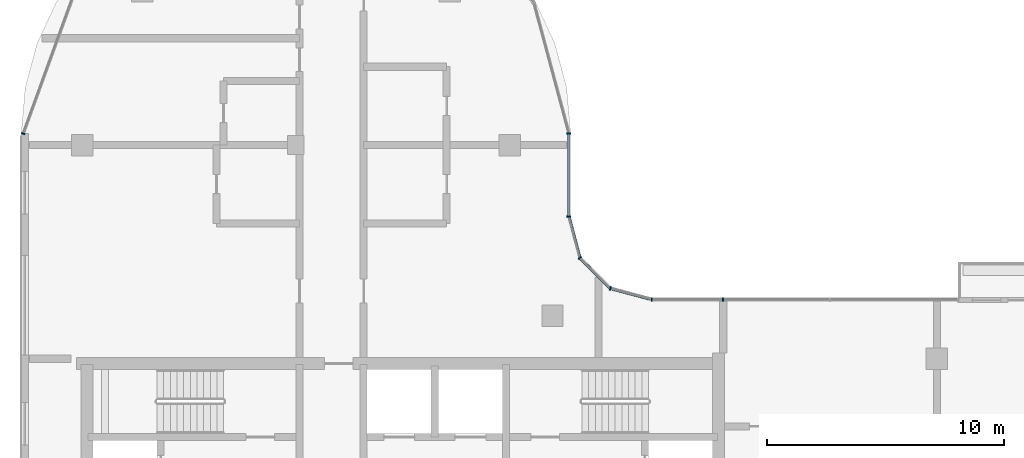
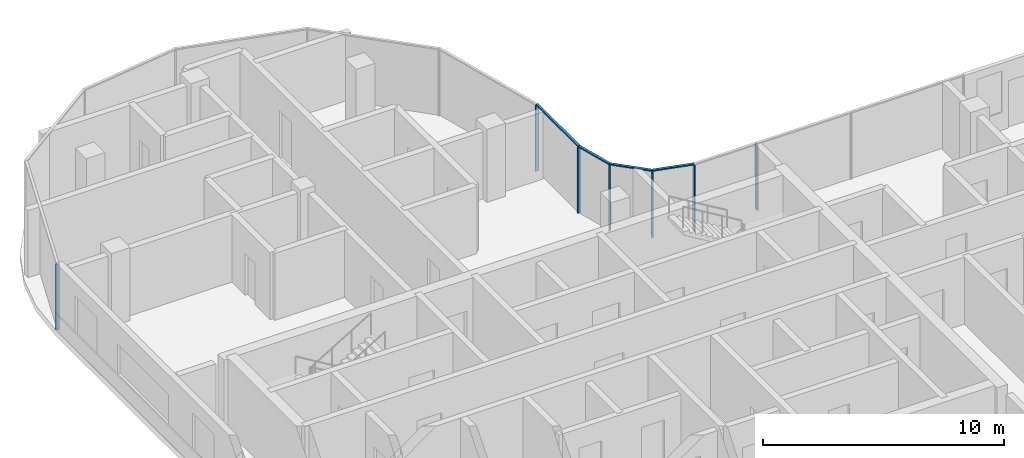
# One storey, part 2 of 18: 11 members, 4 elements without a shape of their own.
"""IFC4 building model written with IfcOpenShell, lengths in metres."""

from ifc_helpers import new_model, si_unit, direction, frame, origin, origin_2d, place, context, subcontext, project, spatial, rectangle, extrude, material, material_profile, profile_set, type_object, element, aggregate, save


model = new_model("IFC4")

# Units and contexts
model_context = context("Model", 3, precision=1e-05, world=origin(), true_north=direction((0.0, 1.0)))
body_context = subcontext(model_context, "Body", "Model", "MODEL_VIEW")
ifc_project = project(units=[si_unit("LENGTHUNIT", "METRE"), si_unit("AREAUNIT", "SQUARE_METRE"), si_unit("VOLUMEUNIT", "CUBIC_METRE"), si_unit("PLANEANGLEUNIT", "RADIAN"), si_unit("MASSUNIT", "GRAM", prefix="KILO")], contexts=[model_context])

# Site, building, storey
site_placement = place(None, origin())
site = spatial("IfcSite", under=ifc_project, at=site_placement, CompositionType="ELEMENT")
building_placement = place(site_placement, origin())
building = spatial("IfcBuilding", under=site, at=building_placement, Name="Ogive Portal Towers", CompositionType="ELEMENT")
storey_placement = place(building_placement, frame((0.0, 0.0, 236.5)))
storey = spatial("IfcBuildingStorey", under=building, at=storey_placement, Name="L59", CompositionType="ELEMENT", Elevation=236.5)

# Curtain wall, members
ifc_material_1 = material(Name="Glass, clear low-iron insulated glazing", Category="glass")
curtain_wall_type = type_object("IfcCurtainWallType", Name="CW FRONT RIBBON 4500", PredefinedType="NOTDEFINED", material=ifc_material_1)
curtain_wall_1_placement = place(storey_placement, origin())
curtain_wall_1 = element("IfcCurtainWall", 1, at=curtain_wall_1_placement, inside=storey, type_object=curtain_wall_type, Name="A:L59:f16:cw1", PredefinedType="NOTDEFINED")
ifc_material_2 = material(Name="Aluminium 6063 anodised", Category="aluminium")
ifc_material_profile_1 = material_profile(ifc_material_2, rectangle(XDim=0.159912109375, YDim=0.06005859375, at=origin_2d()), Name="AL 60x160")
ifc_profile_set_1 = profile_set([ifc_material_profile_1], Name="Aluminium 6063 anodised")
member_type_1 = type_object("IfcMemberType", Name="CW MULLION 60x160", PredefinedType="MULLION", material=ifc_profile_set_1)
member_1_placement = place(storey_placement, frame((58.5, 41.9951171875, 0.0), z_axis=(0.0, 0.0, 1.0), x_axis=(0.0, -1.0, 0.0)))
member_1 = element("IfcMember", 2, at=member_1_placement, type_object=member_type_1, Name="mullion", PredefinedType="MULLION", context=body_context, shape_type="SweptSolid", body=[
    extrude(rectangle(XDim=0.159912109375, YDim=0.06005859375, at=origin_2d()), origin(), (0.0, 0.0, 1.0), 3.340087890625),
])
member_2_placement = place(storey_placement, frame((55.489501953125, 41.9951171875, 0.0), z_axis=(0.0, 0.0, 1.0), x_axis=(0.0, -1.0, 0.0)))
member_2 = element("IfcMember", 3, at=member_2_placement, type_object=member_type_1, Name="mullion", PredefinedType="MULLION", context=body_context, shape_type="SweptSolid", body=[
    extrude(rectangle(XDim=0.159912109375, YDim=0.06005859375, at=origin_2d()), origin(), (0.0, 0.0, 1.0), 3.340087890625),
])
aggregate(curtain_wall_1, [member_1, member_2])

curtain_wall_2_placement = place(storey_placement, origin())
curtain_wall_2 = element("IfcCurtainWall", 4, at=curtain_wall_2_placement, inside=storey, type_object=curtain_wall_type, Name="A:L59:f20:cw0", PredefinedType="NOTDEFINED")
member_3_placement = place(storey_placement, frame((51.9951171875, 45.489501953125, 0.0), z_axis=(0.0, 0.0, 1.0), x_axis=(-1.0, 0.0, 0.0)))
member_3 = element("IfcMember", 5, at=member_3_placement, type_object=member_type_1, Name="mullion", PredefinedType="MULLION", context=body_context, shape_type="SweptSolid", body=[
    extrude(rectangle(XDim=0.159912109375, YDim=0.06005859375, at=origin_2d()), origin(), (0.0, 0.0, 1.0), 3.340087890625),
])
member_4_placement = place(storey_placement, frame((51.9951171875, 48.989501953125, 0.0), z_axis=(0.0, 0.0, 1.0), x_axis=(-1.0, 0.0, 0.0)))
member_4 = element("IfcMember", 6, at=member_4_placement, type_object=member_type_1, Name="mullion", PredefinedType="MULLION", context=body_context, shape_type="SweptSolid", body=[
    extrude(rectangle(XDim=0.159912109375, YDim=0.06005859375, at=origin_2d()), origin(), (0.0, 0.0, 1.0), 3.340087890625),
])

curtain_wall_3_placement = place(storey_placement, origin())
curtain_wall_3 = element("IfcCurtainWall", 7, at=curtain_wall_3_placement, inside=storey, type_object=curtain_wall_type, Name="A:L59:f17:cwa", PredefinedType="NOTDEFINED")
member_5_placement = place(storey_placement, frame((53.74609375, 42.462158203125, 0.0), z_axis=(0.0, 0.0, 1.0), x_axis=(-0.258819045103, -0.965925826289, 0.0)))
member_5 = element("IfcMember", 8, at=member_5_placement, type_object=member_type_1, Name="mullion", PredefinedType="MULLION", context=body_context, shape_type="SweptSolid", body=[
    extrude(rectangle(XDim=0.159912109375, YDim=0.06005859375, at=origin_2d()), origin(), (0.0, 0.0, 1.0), 3.340087890625),
])
member_6_placement = place(storey_placement, frame((52.462158203125, 43.74609375, 0.0), z_axis=(0.0, 0.0, 1.0), x_axis=(-0.707106781187, -0.707106781187, 0.0)))
member_6 = element("IfcMember", 9, at=member_6_placement, type_object=member_type_1, Name="mullion", PredefinedType="MULLION", context=body_context, shape_type="SweptSolid", body=[
    extrude(rectangle(XDim=0.159912109375, YDim=0.06005859375, at=origin_2d()), origin(), (0.0, 0.0, 1.0), 3.340087890625),
])

# Curtain wall, member
curtain_wall_4_placement = place(storey_placement, origin())
curtain_wall_4 = element("IfcCurtainWall", 10, at=curtain_wall_4_placement, inside=storey, type_object=curtain_wall_type, Name="A:L59:f21:cwa", PredefinedType="NOTDEFINED")
member_7_placement = place(storey_placement, frame((29.0048828125, 48.98583984375, 0.0), z_axis=(0.0, 0.0, 1.0), x_axis=(0.939692620786, -0.342020143326, 0.0)))
member_7 = element("IfcMember", 11, at=member_7_placement, type_object=member_type_1, Name="mullion", PredefinedType="MULLION", context=body_context, shape_type="SweptSolid", body=[
    extrude(rectangle(XDim=0.159912109375, YDim=0.06005859375, at=origin_2d()), origin(), (0.0, 0.0, 1.0), 3.340087890625),
])
aggregate(curtain_wall_4, [member_7])

# Member
ifc_material_profile_2 = material_profile(ifc_material_2, rectangle(XDim=0.1201171875, YDim=0.06005859375, at=origin_2d()), Name="AL 120x60")
ifc_profile_set_2 = profile_set([ifc_material_profile_2], Name="Aluminium 6063 anodised")
member_type_2 = type_object("IfcMemberType", Name="CW TRANSOM 60x120", PredefinedType="USERDEFINED", material=ifc_profile_set_2)
member_8_placement = place(storey_placement, frame((51.9951171875, 45.489501953125, 3.3701171875), z_axis=(0.0, 1.0, 0.0), x_axis=(-1.0, 0.0, 0.0)))
member_8 = element("IfcMember", 12, at=member_8_placement, type_object=member_type_2, Name="transom", ObjectType="TRANSOM", PredefinedType="USERDEFINED", context=body_context, shape_type="SweptSolid", body=[
    extrude(rectangle(XDim=0.1201171875, YDim=0.06005859375, at=origin_2d()), origin(), (0.0, 0.0, 1.0), 3.5),
])

aggregate(curtain_wall_2, [member_8, member_3, member_4])

member_9_placement = place(storey_placement, frame((55.489501953125, 41.9951171875, 3.3701171875), z_axis=(-0.965940203089, 0.258765384191, 0.0), x_axis=(-0.258765384191, -0.965940203089, 0.0)))
member_9 = element("IfcMember", 13, at=member_9_placement, type_object=member_type_2, Name="transom", ObjectType="TRANSOM", PredefinedType="USERDEFINED", context=body_context, shape_type="SweptSolid", body=[
    extrude(rectangle(XDim=0.1201171875, YDim=0.06005859375, at=origin_2d()), origin(), (0.0, 0.0, 1.0), 1.804931640625),
])

member_10_placement = place(storey_placement, frame((53.74609375, 42.462158203125, 3.3701171875), z_axis=(-0.707106781187, 0.707106781187, 0.0), x_axis=(-0.707106781187, -0.707106781187, 0.0)))
member_10 = element("IfcMember", 14, at=member_10_placement, type_object=member_type_2, Name="transom", ObjectType="TRANSOM", PredefinedType="USERDEFINED", context=body_context, shape_type="SweptSolid", body=[
    extrude(rectangle(XDim=0.1201171875, YDim=0.06005859375, at=origin_2d()), origin(), (0.0, 0.0, 1.0), 1.815673828125),
])

member_11_placement = place(storey_placement, frame((52.462158203125, 43.74609375, 3.3701171875), z_axis=(-0.258765384191, 0.965940203089, 0.0), x_axis=(-0.965940203089, -0.258765384191, 0.0)))
member_11 = element("IfcMember", 15, at=member_11_placement, type_object=member_type_2, Name="transom", ObjectType="TRANSOM", PredefinedType="USERDEFINED", context=body_context, shape_type="SweptSolid", body=[
    extrude(rectangle(XDim=0.1201171875, YDim=0.06005859375, at=origin_2d()), origin(), (0.0, 0.0, 1.0), 1.804931640625),
])

aggregate(curtain_wall_3, [member_9, member_10, member_11, member_5, member_6])

save(model, "model.ifc")
